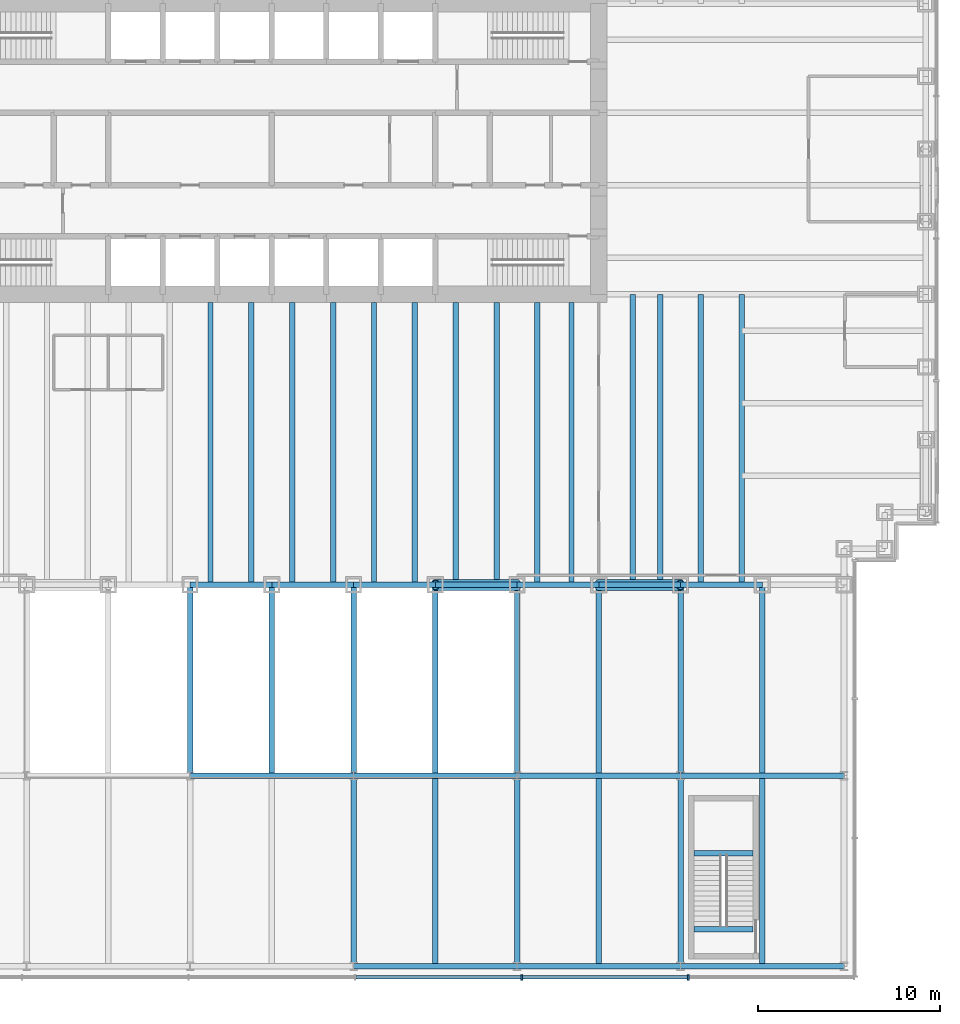
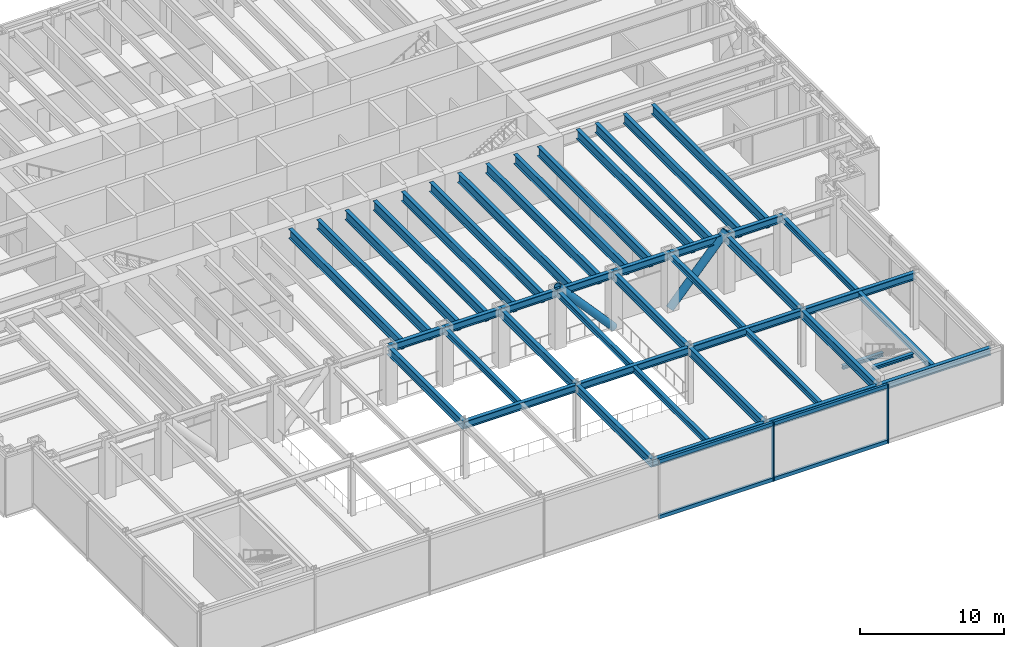
# One storey, part 4 of 17: 44 beams, 8 members, 1 element without a shape of its own.
"""IFC4 building model written with IfcOpenShell, lengths in metres."""

from ifc_helpers import new_model, si_unit, direction, frame, origin, origin_2d, place, context, subcontext, project, spatial, rectangle, hollow_circle, i_section, extrude, material, material_profile, profile_set, type_object, element, aggregate, save


model = new_model("IFC4")

# Units and contexts
model_context = context("Model", 3, precision=1e-05, world=origin(), true_north=direction((0.0, 1.0)))
body_context = subcontext(model_context, "Body", "Model", "MODEL_VIEW")
ifc_project = project(units=[si_unit("LENGTHUNIT", "METRE"), si_unit("AREAUNIT", "SQUARE_METRE"), si_unit("VOLUMEUNIT", "CUBIC_METRE"), si_unit("PLANEANGLEUNIT", "RADIAN"), si_unit("MASSUNIT", "GRAM", prefix="KILO")], contexts=[model_context])

# Site, building, storey
site_placement = place(None, origin())
site = spatial("IfcSite", under=ifc_project, at=site_placement, CompositionType="ELEMENT")
building_placement = place(site_placement, origin())
building = spatial("IfcBuilding", under=site, at=building_placement, Name="Rheinbord Bourse Tower", CompositionType="ELEMENT")
storey_placement = place(building_placement, frame((0.0, 0.0, 18.0)))
storey = spatial("IfcBuildingStorey", under=building, at=storey_placement, Name="L03", CompositionType="ELEMENT", Elevation=18.0)

# Curtain wall, members
ifc_material_1 = material(Name="Dark glass and black aluminium", Category="aluminium")
curtain_wall_type = type_object("IfcCurtainWallType", Name="CW4 DARK GLASS CURTAIN WALL", PredefinedType="USERDEFINED", material=ifc_material_1)
curtain_wall_placement = place(storey_placement, origin())
curtain_wall = element("IfcCurtainWall", 1, at=curtain_wall_placement, inside=storey, type_object=curtain_wall_type, Name="Curtain wall CW4 S L03", ObjectType="UNITISED CURTAIN WALL", PredefinedType="USERDEFINED")
ifc_material_2 = material(Name="Black anodised aluminium", Category="aluminium")
ifc_material_profile_1 = material_profile(ifc_material_2, rectangle(XDim=0.300048828125, YDim=0.090087890625, at=origin_2d()), Name="CW4 MULLION 90x300")
ifc_profile_set_1 = profile_set([ifc_material_profile_1], Name="Black anodised aluminium")
member_type_1 = type_object("IfcMemberType", Name="CW4 BLACK MULLION", PredefinedType="MULLION", material=ifc_profile_set_1)
member_1_placement = place(storey_placement, frame((49.757080078125, -21.60009765625, 0.0), z_axis=(0.0, 0.0, 1.0), x_axis=(0.0, 1.0, 0.0)))
member_1 = element("IfcMember", 2, at=member_1_placement, type_object=member_type_1, Name="CW4 mullion 6", PredefinedType="MULLION", context=body_context, shape_type="SweptSolid", body=[
    extrude(rectangle(XDim=0.300048828125, YDim=0.090087890625, at=origin_2d()), origin(), (0.0, 0.0, 1.0), 5.0),
])
member_2_placement = place(storey_placement, frame((58.928466796875, -21.60009765625, 0.0), z_axis=(0.0, 0.0, 1.0), x_axis=(0.0, 1.0, 0.0)))
member_2 = element("IfcMember", 3, at=member_2_placement, type_object=member_type_1, Name="CW4 mullion 7", PredefinedType="MULLION", context=body_context, shape_type="SweptSolid", body=[
    extrude(rectangle(XDim=0.300048828125, YDim=0.090087890625, at=origin_2d()), origin(), (0.0, 0.0, 1.0), 5.0),
])
ifc_material_3 = material(Name="Black anodised aluminium", Category="aluminium")
ifc_material_profile_2 = material_profile(ifc_material_3, rectangle(XDim=0.199951171875, YDim=0.300048828125, at=origin_2d()), Name="CW4 TRANSOM 300x200")
ifc_profile_set_2 = profile_set([ifc_material_profile_2], Name="Black anodised aluminium")
member_type_2 = type_object("IfcMemberType", Name="CW4 BLACK TRANSOM", PredefinedType="USERDEFINED", material=ifc_profile_set_2)
member_3_placement = place(storey_placement, frame((40.630615234375, -21.60009765625, 0.14990234375), z_axis=(1.0, 0.0, 0.0), x_axis=(0.0, 1.0, 0.0)))
member_3 = element("IfcMember", 4, at=member_3_placement, type_object=member_type_2, Name="CW4 transom 5.1", ObjectType="TRANSOM", PredefinedType="USERDEFINED", context=body_context, shape_type="SweptSolid", body=[
    extrude(rectangle(XDim=0.199951171875, YDim=0.300048828125, at=origin_2d()), origin(), (0.0, 0.0, 1.0), 9.08154296875),
])
member_4_placement = place(storey_placement, frame((40.630615234375, -21.60009765625, 4.85009765625), z_axis=(1.0, 0.0, 0.0), x_axis=(0.0, 1.0, 0.0)))
member_4 = element("IfcMember", 5, at=member_4_placement, type_object=member_type_2, Name="CW4 transom 5.2", ObjectType="TRANSOM", PredefinedType="USERDEFINED", context=body_context, shape_type="SweptSolid", body=[
    extrude(rectangle(XDim=0.199951171875, YDim=0.300048828125, at=origin_2d()), origin(), (0.0, 0.0, 1.0), 9.08154296875),
])
member_5_placement = place(storey_placement, frame((49.80224609375, -21.60009765625, 0.14990234375), z_axis=(1.0, 0.0, 0.0), x_axis=(0.0, 1.0, 0.0)))
member_5 = element("IfcMember", 6, at=member_5_placement, type_object=member_type_2, Name="CW4 transom 6.1", ObjectType="TRANSOM", PredefinedType="USERDEFINED", context=body_context, shape_type="SweptSolid", body=[
    extrude(rectangle(XDim=0.199951171875, YDim=0.300048828125, at=origin_2d()), origin(), (0.0, 0.0, 1.0), 9.081298828125),
])
member_6_placement = place(storey_placement, frame((49.80224609375, -21.60009765625, 4.85009765625), z_axis=(1.0, 0.0, 0.0), x_axis=(0.0, 1.0, 0.0)))
member_6 = element("IfcMember", 7, at=member_6_placement, type_object=member_type_2, Name="CW4 transom 6.2", ObjectType="TRANSOM", PredefinedType="USERDEFINED", context=body_context, shape_type="SweptSolid", body=[
    extrude(rectangle(XDim=0.199951171875, YDim=0.300048828125, at=origin_2d()), origin(), (0.0, 0.0, 1.0), 9.081298828125),
])
aggregate(curtain_wall, [member_1, member_2, member_3, member_4, member_5, member_6])

# Beams
ifc_material_4 = material(Name="Steel S460", Category="steel")
ifc_material_profile_3 = material_profile(ifc_material_4, i_section(OverallWidth=0.300048828125, OverallDepth=0.800048828125, WebThickness=0.017578125, FlangeThickness=0.032958984375, at=origin_2d()), Name="HEB 800")
ifc_profile_set_3 = profile_set([ifc_material_profile_3], Name="Steel S460")
beam_type_1 = type_object("IfcBeamType", Name="FLOOR BEAM HEB 800", PredefinedType="BEAM", material=ifc_profile_set_3)
for number, where, z_axis, x_axis, name in (
    (8, (32.625, 0.0, 4.419921875), (0.0, 1.0, 0.0), (-1.0, 0.0, 0.0), "Floor beam S-31.5a L04"),
    (9, (34.875, 0.0, 4.419921875), (0.0, 1.0, 0.0), (-1.0, 0.0, 0.0), "Floor beam S-31.5b L04"),
    (10, (37.125, 0.0, 4.419921875), (0.0, 1.0, 0.0), (-1.0, 0.0, 0.0), "Floor beam S-36a L04"),
    (11, (39.375, 0.0, 4.419921875), (0.0, 1.0, 0.0), (-1.0, 0.0, 0.0), "Floor beam S-36b L04"),
    (12, (41.625, 0.0, 4.419921875), (0.0, 1.0, 0.0), (-1.0, 0.0, 0.0), "Floor beam S-40.5a L04"),
    (13, (43.875, 0.0, 4.419921875), (0.0, 1.0, 0.0), (-1.0, 0.0, 0.0), "Floor beam S-40.5b L04"),
    (14, (46.125, 0.0, 4.419921875), (0.0, 1.0, 0.0), (-1.0, 0.0, 0.0), "Floor beam S-45a L04"),
    (15, (48.375, 0.0, 4.419921875), (0.0, 1.0, 0.0), (-1.0, 0.0, 0.0), "Floor beam S-45b L04"),
    (16, (50.625, 0.0, 4.419921875), (0.0, 1.0, 0.0), (-1.0, 0.0, 0.0), "Floor beam S-49.5a L04"),
    (17, (52.5, 0.0, 4.419921875), (0.0, 1.0, 0.0), (-1.0, 0.0, 0.0), "Floor beam S-49.5b L04"),
):
    element("IfcBeam", number, at=place(storey_placement, frame(where, z_axis=z_axis, x_axis=x_axis)), inside=storey, type_object=beam_type_1, Name=name, PredefinedType="BEAM", context=body_context, shape_type="SweptSolid", body=[
        extrude(i_section(OverallWidth=0.300048828125, OverallDepth=0.800048828125, WebThickness=0.017578125, FlangeThickness=0.032958984375, at=origin_2d()), origin(), (0.0, 0.0, 1.0), 15.550048828125),
    ])
for number, where, z_axis, x_axis, name in (
    (18, (55.875, 0.0, 4.419921875), (0.0, 1.0, 0.0), (-1.0, 0.0, 0.0), "Floor beam S-54a L04"),
    (19, (57.375, 0.0, 4.419921875), (0.0, 1.0, 0.0), (-1.0, 0.0, 0.0), "Floor beam S-54b L04"),
    (20, (59.625, 0.0, 4.419921875), (0.0, 1.0, 0.0), (-1.0, 0.0, 0.0), "Floor beam S-58.5a L04"),
    (21, (61.875, 0.0, 4.419921875), (0.0, 1.0, 0.0), (-1.0, 0.0, 0.0), "Floor beam S-58.5b L04"),
):
    element("IfcBeam", number, at=place(storey_placement, frame(where, z_axis=z_axis, x_axis=x_axis)), inside=storey, type_object=beam_type_1, Name=name, PredefinedType="BEAM", context=body_context, shape_type="SweptSolid", body=[
        extrude(i_section(OverallWidth=0.300048828125, OverallDepth=0.800048828125, WebThickness=0.017578125, FlangeThickness=0.032958984375, at=origin_2d()), origin(), (0.0, 0.0, 1.0), 16.0),
    ])
ifc_material_5 = material(Name="Steel S460", Category="steel")
ifc_material_profile_4 = material_profile(ifc_material_5, i_section(OverallWidth=0.300048828125, OverallDepth=0.300048828125, WebThickness=0.010986328125, FlangeThickness=0.01904296875, at=origin_2d()), Name="HEB 300")
ifc_profile_set_4 = profile_set([ifc_material_profile_4], Name="Steel S460")
beam_type_2 = type_object("IfcBeamType", Name="LANDING TRIMMER HEB 300", PredefinedType="BEAM", material=ifc_profile_set_4)
for number, where, z_axis, x_axis, name in (
    (22, (59.25, -14.780029296875, 2.14990234375), (1.0, 0.0, 0.0), (0.0, 1.0, 0.0), "Landing trimmer ST6 L03"),
    (23, (59.25, -18.949951171875, 4.60009765625), (1.0, 0.0, 0.0), (0.0, 1.0, 0.0), "Well trimmer ST6 under L04"),
):
    element("IfcBeam", number, at=place(storey_placement, frame(where, z_axis=z_axis, x_axis=x_axis)), inside=storey, type_object=beam_type_2, Name=name, PredefinedType="BEAM", context=body_context, shape_type="SweptSolid", body=[
        extrude(i_section(OverallWidth=0.300048828125, OverallDepth=0.300048828125, WebThickness=0.010986328125, FlangeThickness=0.01904296875, at=origin_2d()), origin(), (0.0, 0.0, 1.0), 3.25),
    ])

# Members
ifc_material_6 = material(Name="Steel S460", Category="steel")
ifc_material_profile_5 = material_profile(ifc_material_6, hollow_circle(Radius=0.304931640625, WallThickness=0.050048828125, at=origin_2d()), Name="CHS 610x50")
ifc_profile_set_5 = profile_set([ifc_material_profile_5], Name="Steel S460")
member_type_3 = type_object("IfcMemberType", Name="MEGABRACE CHS 610x50", PredefinedType="BRACE", material=ifc_profile_set_5)
for number, where, z_axis, x_axis, name in (
    (24, (49.5, 0.0, 0.0), (-0.668964731622, 0.0, 0.743294146247), (0.0, -1.0, 0.0), "Megabrace S face line b L03"),
    (25, (54.0, 0.0, 0.0), (0.668964731622, 0.0, 0.743294146247), (0.0, 1.0, 0.0), "Megabrace S face line c L03"),
):
    element("IfcMember", number, at=place(storey_placement, frame(where, z_axis=z_axis, x_axis=x_axis)), inside=storey, type_object=member_type_3, Name=name, PredefinedType="BRACE", context=body_context, shape_type="SweptSolid", body=[
        extrude(hollow_circle(Radius=0.304931640625, WallThickness=0.050048828125, at=origin_2d()), origin(), (0.0, 0.0, 1.0), 6.726806640625),
    ])

# Beams
ifc_material_7 = material(Name="Steel S460", Category="steel")
ifc_material_profile_6 = material_profile(ifc_material_7, i_section(OverallWidth=0.304931640625, OverallDepth=0.6201171875, WebThickness=0.02099609375, FlangeThickness=0.0400390625, at=origin_2d()), Name="HEM 600")
ifc_profile_set_6 = profile_set([ifc_material_profile_6], Name="Steel S460")
beam_type_3 = type_object("IfcBeamType", Name="PODIUM EDGE BEAM HEM 600", PredefinedType="BEAM", material=ifc_profile_set_6)
for number, where, z_axis, x_axis, name in (
    (26, (31.5, -10.5, 4.43994140625), (1.0, 0.0, 0.0), (0.0, 1.0, 0.0), "Podium edge beam 31.5-40.5 L04"),
    (27, (40.5, -21.0, 4.43994140625), (1.0, 0.0, 0.0), (0.0, 1.0, 0.0), "Podium edge beam 40.5-49.5 L04"),
    (28, (40.5, -10.5, 4.43994140625), (1.0, 0.0, 0.0), (0.0, 1.0, 0.0), "Podium edge beam 40.5-49.5 L04"),
    (29, (49.5, -21.0, 4.43994140625), (1.0, 0.0, 0.0), (0.0, 1.0, 0.0), "Podium edge beam 49.5-58.5 L04"),
    (30, (49.5, -10.5, 4.43994140625), (1.0, 0.0, 0.0), (0.0, 1.0, 0.0), "Podium edge beam 49.5-58.5 L04"),
    (31, (58.5, -21.0, 4.43994140625), (1.0, 0.0, 0.0), (0.0, 1.0, 0.0), "Podium edge beam 58.5-67.5 L04"),
    (32, (58.5, -10.5, 4.43994140625), (1.0, 0.0, 0.0), (0.0, 1.0, 0.0), "Podium edge beam 58.5-67.5 L04"),
):
    element("IfcBeam", number, at=place(storey_placement, frame(where, z_axis=z_axis, x_axis=x_axis)), inside=storey, type_object=beam_type_3, Name=name, PredefinedType="BEAM", context=body_context, shape_type="SweptSolid", body=[
        extrude(i_section(OverallWidth=0.304931640625, OverallDepth=0.6201171875, WebThickness=0.02099609375, FlangeThickness=0.0400390625, at=origin_2d()), origin(), (0.0, 0.0, 1.0), 9.0),
    ])
ifc_material_8 = material(Name="Steel S460", Category="steel")
ifc_material_profile_7 = material_profile(ifc_material_8, i_section(OverallWidth=0.303955078125, OverallDepth=0.716064453125, WebThickness=0.02099609375, FlangeThickness=0.0400390625, at=origin_2d()), Name="HEM 700")
ifc_profile_set_7 = profile_set([ifc_material_profile_7], Name="Steel S460")
beam_type_4 = type_object("IfcBeamType", Name="PODIUM GIRDER HEM 700", PredefinedType="BEAM", material=ifc_profile_set_7)
for number, where, z_axis, x_axis, name in (
    (33, (31.5, -10.5, 4.39208984375), (0.0, 1.0, 0.0), (-1.0, 0.0, 0.0), "Podium girder 31.5 L04"),
    (34, (40.5, -21.0, 4.39208984375), (0.0, 1.0, 0.0), (-1.0, 0.0, 0.0), "Podium girder 40.5 L04"),
    (35, (40.5, -10.5, 4.39208984375), (0.0, 1.0, 0.0), (-1.0, 0.0, 0.0), "Podium girder 40.5 L04"),
    (36, (49.5, -21.0, 4.39208984375), (0.0, 1.0, 0.0), (-1.0, 0.0, 0.0), "Podium girder 49.5 L04"),
    (37, (49.5, -10.5, 4.39208984375), (0.0, 1.0, 0.0), (-1.0, 0.0, 0.0), "Podium girder 49.5 L04"),
    (38, (58.5, -21.0, 4.39208984375), (0.0, 1.0, 0.0), (-1.0, 0.0, 0.0), "Podium girder 58.5 L04"),
    (39, (58.5, -10.5, 4.39208984375), (0.0, 1.0, 0.0), (-1.0, 0.0, 0.0), "Podium girder 58.5 L04"),
):
    element("IfcBeam", number, at=place(storey_placement, frame(where, z_axis=z_axis, x_axis=x_axis)), inside=storey, type_object=beam_type_4, Name=name, PredefinedType="BEAM", context=body_context, shape_type="SweptSolid", body=[
        extrude(i_section(OverallWidth=0.303955078125, OverallDepth=0.716064453125, WebThickness=0.02099609375, FlangeThickness=0.0400390625, at=origin_2d()), origin(), (0.0, 0.0, 1.0), 10.5),
    ])
ifc_material_9 = material(Name="Steel S460", Category="steel")
ifc_material_profile_8 = material_profile(ifc_material_9, i_section(OverallWidth=0.300048828125, OverallDepth=0.5, WebThickness=0.014404296875, FlangeThickness=0.028076171875, at=origin_2d()), Name="HEB 500")
ifc_profile_set_8 = profile_set([ifc_material_profile_8], Name="Steel S460")
beam_type_5 = type_object("IfcBeamType", Name="PODIUM JOIST HEB 500", PredefinedType="JOIST", material=ifc_profile_set_8)
for number, where, z_axis, x_axis, name in (
    (40, (36.0, -10.347412109375, 4.5), (0.0, 1.0, 0.0), (-1.0, 0.0, 0.0), "Podium joist 36 L04"),
    (41, (45.0, -21.0, 4.5), (0.0, 1.0, 0.0), (-1.0, 0.0, 0.0), "Podium joist 45 L04"),
    (42, (45.0, -10.347412109375, 4.5), (0.0, 1.0, 0.0), (-1.0, 0.0, 0.0), "Podium joist 45 L04"),
    (43, (54.0, -21.0, 4.5), (0.0, 1.0, 0.0), (-1.0, 0.0, 0.0), "Podium joist 54 L04"),
    (44, (54.0, -10.347412109375, 4.5), (0.0, 1.0, 0.0), (-1.0, 0.0, 0.0), "Podium joist 54 L04"),
    (45, (63.0, -21.0, 4.5), (0.0, 1.0, 0.0), (-1.0, 0.0, 0.0), "Podium joist 63 L04"),
    (46, (63.0, -10.347412109375, 4.5), (0.0, 1.0, 0.0), (-1.0, 0.0, 0.0), "Podium joist 63 L04"),
):
    element("IfcBeam", number, at=place(storey_placement, frame(where, z_axis=z_axis, x_axis=x_axis)), inside=storey, type_object=beam_type_5, Name=name, PredefinedType="JOIST", context=body_context, shape_type="SweptSolid", body=[
        extrude(i_section(OverallWidth=0.300048828125, OverallDepth=0.5, WebThickness=0.014404296875, FlangeThickness=0.028076171875, at=origin_2d()), origin(), (0.0, 0.0, 1.0), 10.347412109375),
    ])
ifc_material_10 = material(Name="Steel S460", Category="steel")
ifc_material_profile_9 = material_profile(ifc_material_10, i_section(OverallWidth=0.304931640625, OverallDepth=0.6201171875, WebThickness=0.02099609375, FlangeThickness=0.0400390625, at=origin_2d()), Name="HEM 600")
ifc_profile_set_9 = profile_set([ifc_material_profile_9], Name="Steel S460")
beam_type_6 = type_object("IfcBeamType", Name="SPANDREL HEM 600", PredefinedType="SPANDREL", material=ifc_profile_set_9)
for number, where, z_axis, x_axis, name in (
    (47, (31.5, 0.0, 4.510009765625), (1.0, 0.0, 0.0), (0.0, 1.0, 0.0), "Spandrel S-31.5-S-36 under L04"),
    (48, (36.0, 0.0, 4.510009765625), (1.0, 0.0, 0.0), (0.0, 1.0, 0.0), "Spandrel S-36-S-40.5 under L04"),
    (49, (40.5, 0.0, 4.510009765625), (1.0, 0.0, 0.0), (0.0, 1.0, 0.0), "Spandrel S-40.5-S-45 under L04"),
    (50, (45.0, 0.0, 4.510009765625), (1.0, 0.0, 0.0), (0.0, 1.0, 0.0), "Spandrel S-45-S-49.5 under L04"),
    (51, (49.5, 0.0, 4.510009765625), (1.0, 0.0, 0.0), (0.0, 1.0, 0.0), "Spandrel S-49.5-S-54 under L04"),
    (52, (54.0, 0.0, 4.510009765625), (1.0, 0.0, 0.0), (0.0, 1.0, 0.0), "Spandrel S-54-S-58.5 under L04"),
    (53, (58.5, 0.0, 4.510009765625), (1.0, 0.0, 0.0), (0.0, 1.0, 0.0), "Spandrel S-58.5-S-63 under L04"),
):
    element("IfcBeam", number, at=place(storey_placement, frame(where, z_axis=z_axis, x_axis=x_axis)), inside=storey, type_object=beam_type_6, Name=name, PredefinedType="SPANDREL", context=body_context, shape_type="SweptSolid", body=[
        extrude(i_section(OverallWidth=0.304931640625, OverallDepth=0.6201171875, WebThickness=0.02099609375, FlangeThickness=0.0400390625, at=origin_2d()), origin(), (0.0, 0.0, 1.0), 4.5),
    ])

save(model, "model.ifc")
